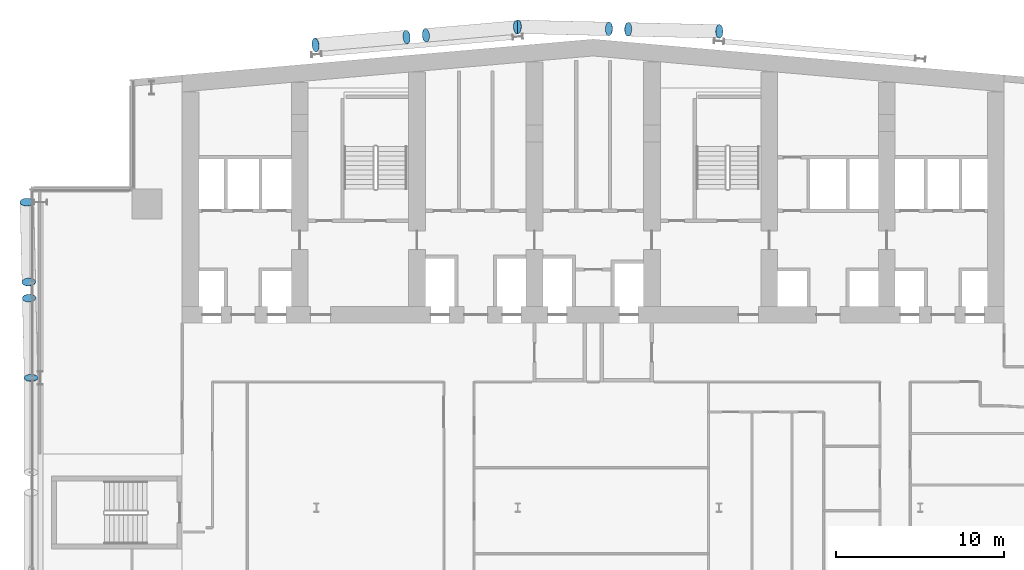
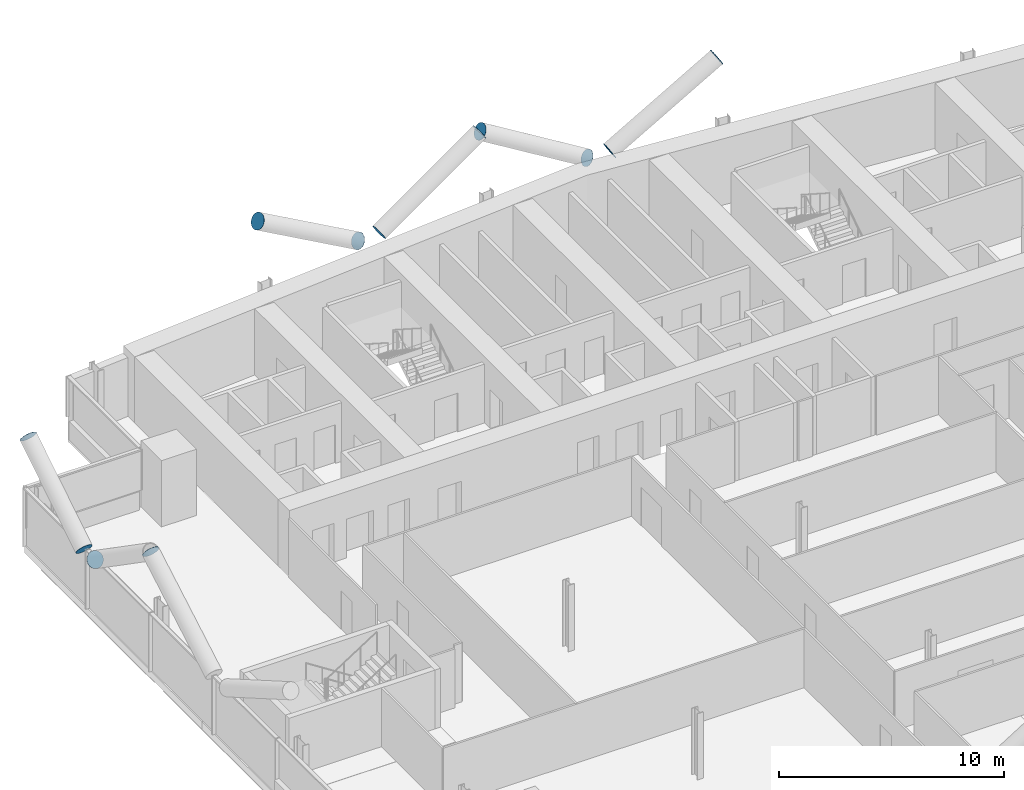
# One storey, part 22 of 27: 12 discrete accessories.
"""IFC4 building model written with IfcOpenShell, lengths in metres."""

from ifc_helpers import new_model, si_unit, direction, frame, origin, origin_2d, place, context, subcontext, project, spatial, circle, extrude, material, material_profile, profile_set, type_object, element, save


model = new_model("IFC4")

# Units and contexts
model_context = context("Model", 3, precision=1e-05, world=origin(), true_north=direction((0.0, 1.0)))
body_context = subcontext(model_context, "Body", "Model", "MODEL_VIEW")
ifc_project = project(units=[si_unit("LENGTHUNIT", "METRE"), si_unit("AREAUNIT", "SQUARE_METRE"), si_unit("VOLUMEUNIT", "CUBIC_METRE"), si_unit("PLANEANGLEUNIT", "RADIAN"), si_unit("MASSUNIT", "GRAM", prefix="KILO")], contexts=[model_context])

# Site, building, storey
site_placement = place(None, origin())
site = spatial("IfcSite", under=ifc_project, at=site_placement, CompositionType="ELEMENT")
building_placement = place(site_placement, origin())
building = spatial("IfcBuilding", under=site, at=building_placement, Name="Wharfspan Tower", CompositionType="ELEMENT")
storey_placement = place(building_placement, frame((0.0, 0.0, 118.300049)))
storey = spatial("IfcBuildingStorey", under=building, at=storey_placement, Name="L27", CompositionType="ELEMENT", Elevation=118.300049)

# Discrete accessories
ifc_material = material(Name="Steel S460NH", Category="steel")
ifc_material_profile = material_profile(ifc_material, circle(Radius=0.406494, at=origin_2d()))
ifc_profile_set = profile_set([ifc_material_profile], Name="Steel S460NH")
discrete_accessory_type = type_object("IfcDiscreteAccessoryType", Name="End plate CHS 813x40", PredefinedType="BRACKET", material=ifc_profile_set)
discrete_accessory_1_placement = place(storey_placement, frame((6.985107, 30.733398, 6.5), z_axis=(0.0, 0.868243, 0.496139), x_axis=(-1.0, 0.0, 0.0)))
element("IfcDiscreteAccessory", 1, at=discrete_accessory_1_placement, inside=storey, type_object=discrete_accessory_type, Name="End plate CHS 813x40", PredefinedType="BRACKET", context=body_context, shape_type="SweptSolid", body=[
    extrude(circle(Radius=0.406494, at=origin_2d()), origin(), (0.0, 0.0, 1.0), 0.009766),
])
discrete_accessory_2_placement = place(storey_placement, frame((6.87085, 35.494385, 3.227295), z_axis=(0.024354, -0.828038, 0.560143), x_axis=(0.999568, 0.029399, 0.0)))
element("IfcDiscreteAccessory", 2, at=discrete_accessory_2_placement, inside=storey, type_object=discrete_accessory_type, Name="End plate CHS 813x40", PredefinedType="BRACKET", context=body_context, shape_type="SweptSolid", body=[
    extrude(circle(Radius=0.406494, at=origin_2d()), origin(), (0.0, 0.0, 1.0), 0.01001),
])
discrete_accessory_3_placement = place(storey_placement, frame((6.848145, 36.447021, 3.227295), z_axis=(-0.024853, 0.820145, 0.571616), x_axis=(-0.999542, -0.03029, 1e-06)))
element("IfcDiscreteAccessory", 3, at=discrete_accessory_3_placement, inside=storey, type_object=discrete_accessory_type, Name="End plate CHS 813x40", PredefinedType="BRACKET", context=body_context, shape_type="SweptSolid", body=[
    extrude(circle(Radius=0.406494, at=origin_2d()), origin(), (0.0, 0.0, 1.0), 0.009766),
])
for number, where, z_axis, x_axis, name in (
    (4, (6.734131, 41.208008, 6.5), (-0.024354, 0.828038, 0.560143), (-0.999568, -0.029399, 0.0), "End plate CHS 813x40"),
    (5, (42.581787, 51.515137, 3.241455), (0.857236, -0.024492, 0.514341), (0.028558, 0.999591, 2e-06), "End plate CHS 813x40"),
    (6, (48.012695, 51.390381, 6.5), (0.857493, 0.0, 0.514496), (0.0, 1.0, 0.0), "End plate CHS 813x40"),
    (7, (41.443604, 51.54126, 3.241455), (-0.857236, 0.024492, 0.514341), (-0.028558, -0.999591, 2e-06), "End plate CHS 813x40"),
    (8, (36.012939, 51.665771, 6.5), (-0.857236, 0.024492, 0.514341), (-0.028558, -0.999591, 2e-06), "End plate CHS 813x40"),
    (9, (30.52124, 51.156006, 3.241699), (0.855186, 0.073302, 0.513112), (-0.085402, 0.996345, 1e-06), "End plate CHS 813x40"),
    (10, (35.95166, 51.631104, 6.5), (0.855186, 0.073302, 0.513112), (-0.085402, 0.996345, 1e-06), "End plate CHS 813x40"),
    (11, (29.381836, 51.056396, 3.241699), (-0.853405, -0.097532, 0.512043), (0.113547, -0.993531, 1e-06), "End plate CHS 813x40"),
):
    element("IfcDiscreteAccessory", number, at=place(storey_placement, frame(where, z_axis=z_axis, x_axis=x_axis)), inside=storey, type_object=discrete_accessory_type, Name=name, PredefinedType="BRACKET", context=body_context, shape_type="SweptSolid", body=[
        extrude(circle(Radius=0.406494, at=origin_2d()), origin(), (0.0, 0.0, 1.0), 0.01001),
    ])
discrete_accessory_4_placement = place(storey_placement, frame((23.95166, 50.581299, 6.5), z_axis=(-0.859828, -0.095536, 0.501566), x_axis=(0.11043, -0.99388, -1e-06)))
element("IfcDiscreteAccessory", 12, at=discrete_accessory_4_placement, inside=storey, type_object=discrete_accessory_type, Name="End plate CHS 813x40", PredefinedType="BRACKET", context=body_context, shape_type="SweptSolid", body=[
    extrude(circle(Radius=0.406494, at=origin_2d()), origin(), (0.0, 0.0, 1.0), 0.010254),
])

save(model, "model.ifc")
